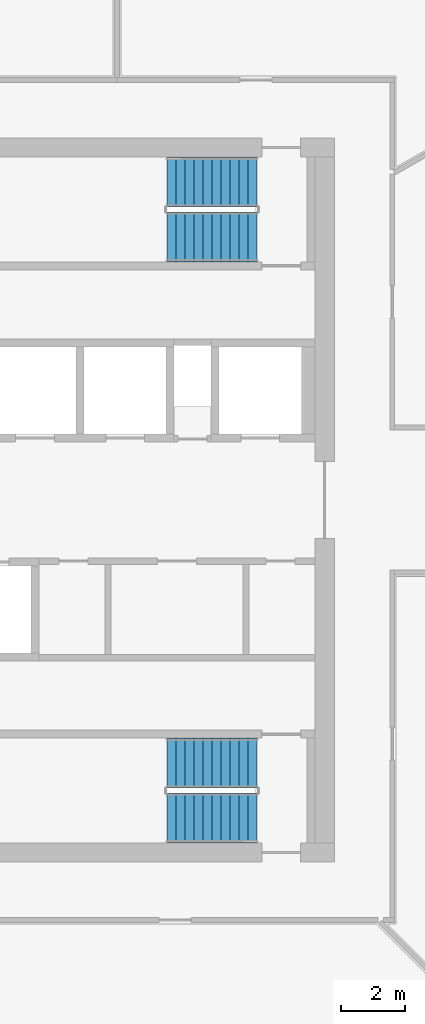
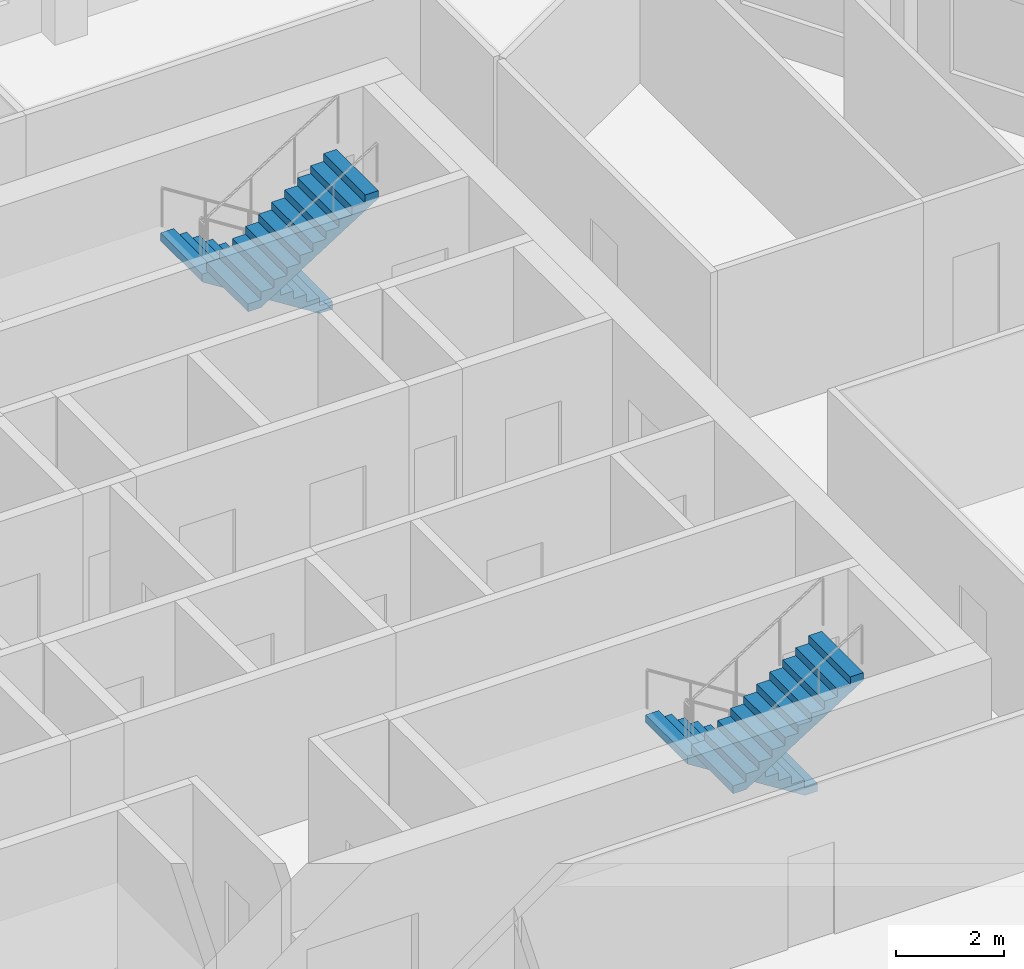
# One storey, part 7 of 11: 4 stair flights, 2 elements without a shape of their own.
"""IFC4 building model written with IfcOpenShell, lengths in metres."""

from ifc_helpers import new_model, si_unit, direction, frame, origin, place, context, subcontext, project, spatial, polyline, outline, extrude, material, type_object, element, aggregate, save


model = new_model("IFC4")

# Units and contexts
model_context = context("Model", 3, precision=1e-05, world=origin(), true_north=direction((0.0, 1.0)))
body_context = subcontext(model_context, "Body", "Model", "MODEL_VIEW")
ifc_project = project(units=[si_unit("LENGTHUNIT", "METRE"), si_unit("AREAUNIT", "SQUARE_METRE"), si_unit("VOLUMEUNIT", "CUBIC_METRE"), si_unit("PLANEANGLEUNIT", "RADIAN"), si_unit("MASSUNIT", "GRAM", prefix="KILO")], contexts=[model_context])

# Site, building, storey
site_placement = place(None, origin())
site = spatial("IfcSite", under=ifc_project, at=site_placement, CompositionType="ELEMENT")
building_placement = place(site_placement, origin())
building = spatial("IfcBuilding", under=site, at=building_placement, Name="Dhurran Vertical Campus", CompositionType="ELEMENT")
storey_placement = place(building_placement, frame((0.0, 0.0, 270.300048828125)))
storey = spatial("IfcBuildingStorey", under=building, at=storey_placement, Name="L67", CompositionType="ELEMENT", Elevation=270.300048828125)

# Stair, stair flights
ifc_material_1 = material(Name="Concrete C40/50", Category="concrete")
stair_type = type_object("IfcStairType", Name="co-ST-CORE", PredefinedType="HALF_TURN_STAIR", material=ifc_material_1)
stair_1_placement = place(storey_placement, origin())
stair_1 = element("IfcStair", 1, at=stair_1_placement, inside=storey, type_object=stair_type, Name="L67 Protected exit stair ST2", PredefinedType="HALF_TURN_STAIR")
ifc_material_2 = material(Name="Concrete C40/50", Category="concrete")
stair_flight_type = type_object("IfcStairFlightType", Name="co-SFL-RC", PredefinedType="STRAIGHT", material=ifc_material_2)
stair_flight_1_placement = place(storey_placement, frame((11.10009765625, 9.875, 0.0), z_axis=(0.0, 0.0, 1.0), x_axis=(-1.0, 0.0, 0.0)))
stair_flight_1 = element("IfcStairFlight", 2, at=stair_flight_1_placement, type_object=stair_flight_type, Name="ST2 flight 1", NumberOfRisers=11, NumberOfTreads=10, PredefinedType="STRAIGHT", RiserHeight=0.177272727, TreadLength=0.28, context=body_context, shape_type="SweptSolid", body=[
    extrude(outline(polyline([(0.0, 0.0), (0.0, 0.17724609375), (0.280029296875, 0.17724609375), (0.280029296875, 0.3544921875), (0.56005859375, 0.3544921875), (0.56005859375, 0.53173828125), (0.840087890625, 0.53173828125), (0.840087890625, 0.708984375), (1.1201171875, 0.708984375), (1.1201171875, 0.886474609375), (1.39990234375, 0.886474609375), (1.39990234375, 1.063720703125), (1.679931640625, 1.063720703125), (1.679931640625, 1.240966796875), (1.9599609375, 1.240966796875), (1.9599609375, 1.418212890625), (2.239990234375, 1.418212890625), (2.239990234375, 1.595458984375), (2.52001953125, 1.595458984375), (2.52001953125, 1.772705078125), (2.800048828125, 1.772705078125), (2.800048828125, 1.949951171875), (2.800048828125, 1.59521484375), (0.2802734375, 0.0), (0.0, 0.0)])), frame((0.0, 0.77490234375, 0.0), z_axis=(0.0, -1.0, 0.0), x_axis=(1.0, 0.0, 0.0)), (0.0, 0.0, 1.0), 1.550048828125),
])
stair_flight_2_placement = place(storey_placement, frame((8.300048828125, 8.175048828125, 1.949951171875), z_axis=(0.0, 0.0, 1.0), x_axis=(1.0, 0.0, 0.0)))
stair_flight_2 = element("IfcStairFlight", 3, at=stair_flight_2_placement, type_object=stair_flight_type, Name="ST2 flight 2", NumberOfRisers=11, NumberOfTreads=10, PredefinedType="STRAIGHT", RiserHeight=0.177272727, TreadLength=0.28, context=body_context, shape_type="SweptSolid", body=[
    extrude(outline(polyline([(0.0, 0.0), (0.0, 0.17724609375), (0.280029296875, 0.17724609375), (0.280029296875, 0.3544921875), (0.56005859375, 0.3544921875), (0.56005859375, 0.53173828125), (0.840087890625, 0.53173828125), (0.840087890625, 0.708984375), (1.1201171875, 0.708984375), (1.1201171875, 0.886474609375), (1.39990234375, 0.886474609375), (1.39990234375, 1.063720703125), (1.679931640625, 1.063720703125), (1.679931640625, 1.240966796875), (1.9599609375, 1.240966796875), (1.9599609375, 1.418212890625), (2.239990234375, 1.418212890625), (2.239990234375, 1.595458984375), (2.52001953125, 1.595458984375), (2.52001953125, 1.772705078125), (2.800048828125, 1.772705078125), (2.800048828125, 1.949951171875), (2.800048828125, 1.59521484375), (0.2802734375, 0.0), (0.0, 0.0)])), frame((0.0, 0.77490234375, 0.0), z_axis=(0.0, -1.0, 0.0), x_axis=(1.0, 0.0, 0.0)), (0.0, 0.0, 1.0), 1.550048828125),
])
aggregate(stair_1, [stair_flight_1, stair_flight_2])

stair_2_placement = place(storey_placement, origin())
stair_2 = element("IfcStair", 4, at=stair_2_placement, inside=storey, type_object=stair_type, Name="L67 Protected exit stair ST4", PredefinedType="HALF_TURN_STAIR")
stair_flight_3_placement = place(storey_placement, frame((11.10009765625, -8.175048828125, 0.0), z_axis=(0.0, 0.0, 1.0), x_axis=(-1.0, 0.0, 0.0)))
stair_flight_3 = element("IfcStairFlight", 5, at=stair_flight_3_placement, type_object=stair_flight_type, Name="ST4 flight 1", NumberOfRisers=11, NumberOfTreads=10, PredefinedType="STRAIGHT", RiserHeight=0.177272727, TreadLength=0.28, context=body_context, shape_type="SweptSolid", body=[
    extrude(outline(polyline([(0.0, 0.0), (0.0, 0.17724609375), (0.280029296875, 0.17724609375), (0.280029296875, 0.3544921875), (0.56005859375, 0.3544921875), (0.56005859375, 0.53173828125), (0.840087890625, 0.53173828125), (0.840087890625, 0.708984375), (1.1201171875, 0.708984375), (1.1201171875, 0.886474609375), (1.39990234375, 0.886474609375), (1.39990234375, 1.063720703125), (1.679931640625, 1.063720703125), (1.679931640625, 1.240966796875), (1.9599609375, 1.240966796875), (1.9599609375, 1.418212890625), (2.239990234375, 1.418212890625), (2.239990234375, 1.595458984375), (2.52001953125, 1.595458984375), (2.52001953125, 1.772705078125), (2.800048828125, 1.772705078125), (2.800048828125, 1.949951171875), (2.800048828125, 1.59521484375), (0.2802734375, 0.0), (0.0, 0.0)])), frame((0.0, 0.77490234375, 0.0), z_axis=(0.0, -1.0, 0.0), x_axis=(1.0, 0.0, 0.0)), (0.0, 0.0, 1.0), 1.550048828125),
])
stair_flight_4_placement = place(storey_placement, frame((8.300048828125, -9.875, 1.949951171875), z_axis=(0.0, 0.0, 1.0), x_axis=(1.0, 0.0, 0.0)))
stair_flight_4 = element("IfcStairFlight", 6, at=stair_flight_4_placement, type_object=stair_flight_type, Name="ST4 flight 2", NumberOfRisers=11, NumberOfTreads=10, PredefinedType="STRAIGHT", RiserHeight=0.177272727, TreadLength=0.28, context=body_context, shape_type="SweptSolid", body=[
    extrude(outline(polyline([(0.0, 0.0), (0.0, 0.17724609375), (0.280029296875, 0.17724609375), (0.280029296875, 0.3544921875), (0.56005859375, 0.3544921875), (0.56005859375, 0.53173828125), (0.840087890625, 0.53173828125), (0.840087890625, 0.708984375), (1.1201171875, 0.708984375), (1.1201171875, 0.886474609375), (1.39990234375, 0.886474609375), (1.39990234375, 1.063720703125), (1.679931640625, 1.063720703125), (1.679931640625, 1.240966796875), (1.9599609375, 1.240966796875), (1.9599609375, 1.418212890625), (2.239990234375, 1.418212890625), (2.239990234375, 1.595458984375), (2.52001953125, 1.595458984375), (2.52001953125, 1.772705078125), (2.800048828125, 1.772705078125), (2.800048828125, 1.949951171875), (2.800048828125, 1.59521484375), (0.2802734375, 0.0), (0.0, 0.0)])), frame((0.0, 0.77490234375, 0.0), z_axis=(0.0, -1.0, 0.0), x_axis=(1.0, 0.0, 0.0)), (0.0, 0.0, 1.0), 1.550048828125),
])
aggregate(stair_2, [stair_flight_3, stair_flight_4])

save(model, "model.ifc")
